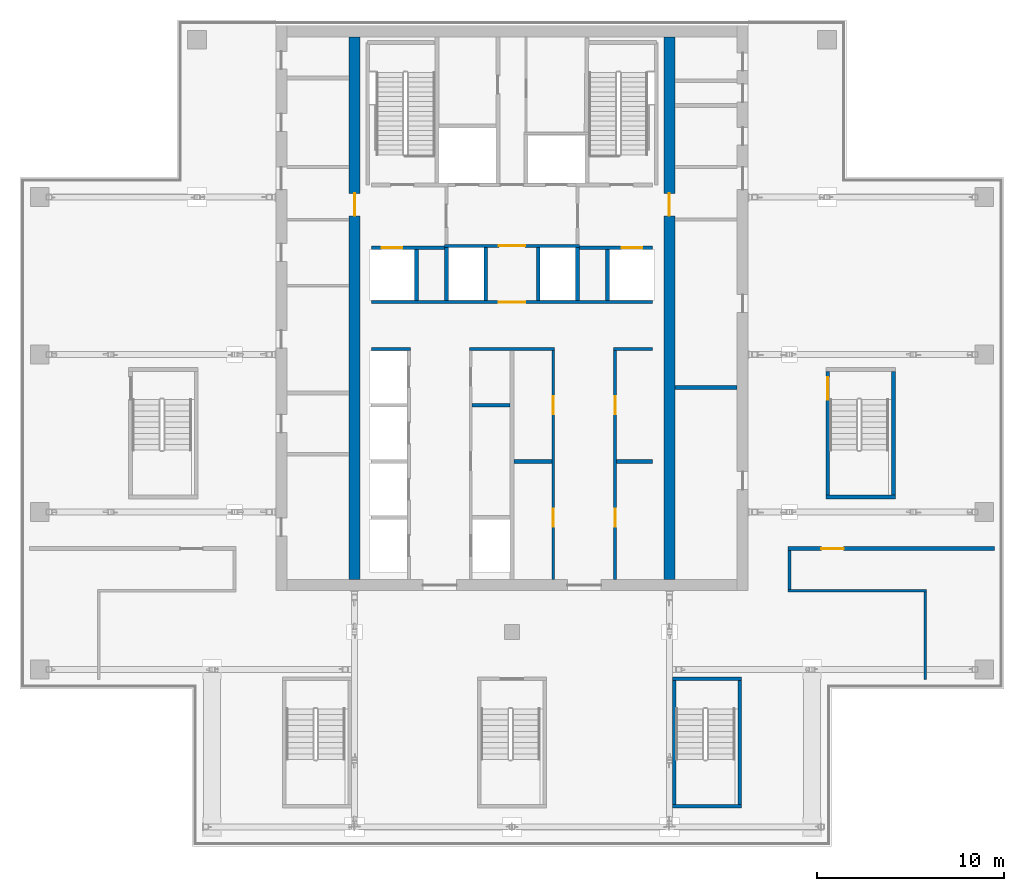
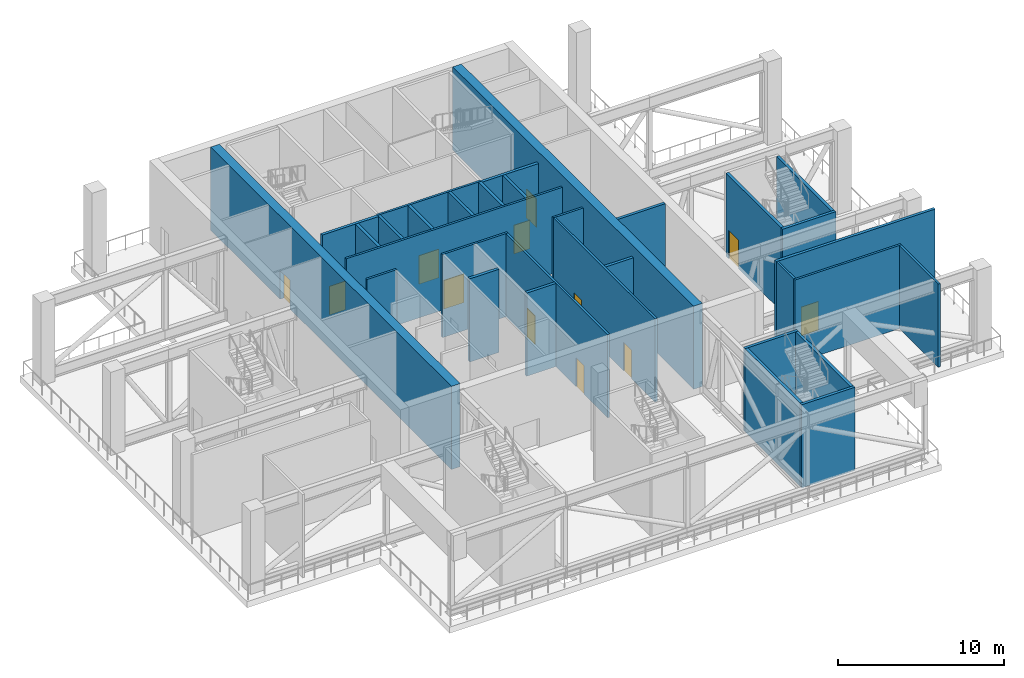
# One storey, part 18 of 24: 32 walls, 12 doors, 12 openings.
"""IFC4 building model written with IfcOpenShell, lengths in metres."""

from ifc_helpers import new_model, si_unit, direction, frame, frame_2d, origin, place, context, subcontext, project, spatial, rectangle, extrude, material, layer, layer_set, type_object, element, fill, save


model = new_model("IFC4")

# Units and contexts
model_context = context("Model", 3, precision=1e-05, world=origin(), true_north=direction((0.0, 1.0)))
body_context = subcontext(model_context, "Body", "Model", "MODEL_VIEW")
ifc_project = project(units=[si_unit("LENGTHUNIT", "METRE"), si_unit("AREAUNIT", "SQUARE_METRE"), si_unit("VOLUMEUNIT", "CUBIC_METRE"), si_unit("PLANEANGLEUNIT", "RADIAN"), si_unit("MASSUNIT", "GRAM", prefix="KILO")], contexts=[model_context])

# Site, building, storey
site_placement = place(None, origin())
site = spatial("IfcSite", under=ifc_project, at=site_placement, CompositionType="ELEMENT")
building_placement = place(site_placement, origin())
building = spatial("IfcBuilding", under=site, at=building_placement, Name="Vermilion Ogive Tower", CompositionType="ELEMENT")
storey_placement = place(building_placement, frame((0.0, 0.0, 216.949951171875)))
storey = spatial("IfcBuildingStorey", under=building, at=storey_placement, Name="L57", CompositionType="ELEMENT", Elevation=216.949951171875)

# Wall, opening, door
ifc_material_1 = material(Name="Concrete B60", Category="concrete")
ifc_layer_1 = layer(ifc_material_1, 0.60009765625)
ifc_layer_set_1 = layer_set([ifc_layer_1], Name="Core wall 600 B60")
wall_type_1 = type_object("IfcWallType", Name="Core wall 600 B60", PredefinedType="SHEAR", material=ifc_layer_set_1)
wall_1_placement = place(storey_placement, frame((-8.39990234375, -7.800048828125, 0.0), z_axis=(0.0, 0.0, 1.0), x_axis=(0.0, 1.0, 0.0)))
wall_1 = element("IfcWall", 1, at=wall_1_placement, inside=storey, type_object=wall_type_1, Name="L57-CORE-WEB1", PredefinedType="SHEAR", context=body_context, shape_type="SweptSolid", body=[
    extrude(rectangle(XDim=28.949951171875, YDim=0.60009765625, at=frame_2d((14.47509765625, 0.0))), origin(), (0.0, 0.0, 1.0), 6.10009765625),
])
opening_1_placement = place(wall_1_placement, frame((19.39990234375, 0.0, 0.0)))
opening_1 = element("IfcOpeningElement", 2, at=opening_1_placement, cuts=wall_1, Name="Opening DBX002", PredefinedType="OPENING", context=body_context, shape_type="SweptSolid", body=[
    extrude(rectangle(XDim=1.199951171875, YDim=2.10009765625, at=frame_2d((0.60009765625, 1.050048828125))), frame((0.0, 0.31005859375, 0.0), z_axis=(0.0, -1.0, 0.0), x_axis=(1.0, 0.0, 0.0)), (0.0, 0.0, 1.0), 0.6201171875),
])
ifc_material_2 = material(Name="Timber door leaf", Category="wood")
door_type_1 = type_object("IfcDoorType", Name="Link door 1200 x 2100 FD60S", OperationType="SINGLE_SWING_LEFT", PredefinedType="DOOR", material=ifc_material_2)
door_1_placement = place(opening_1_placement, origin())
door_1 = element("IfcDoor", 3, at=door_1_placement, inside=storey, type_object=door_type_1, Name="L57-CKW-XW", OperationType="SINGLE_SWING_LEFT", OverallHeight=2.10009765625, OverallWidth=1.199951171875, PredefinedType="DOOR", context=body_context, shape_type="SweptSolid", body=[
    extrude(rectangle(XDim=1.199951171875, YDim=2.10009765625, at=frame_2d((0.60009765625, 1.050048828125))), frame((0.0, 0.02490234375, 0.0), z_axis=(0.0, -1.0, 0.0), x_axis=(1.0, 0.0, 0.0)), (0.0, 0.0, 1.0), 0.050048828125),
])
fill(opening_1, door_1)

wall_2_placement = place(storey_placement, frame((8.39990234375, -7.800048828125, 0.0), z_axis=(0.0, 0.0, 1.0), x_axis=(0.0, 1.0, 0.0)))
wall_2 = element("IfcWall", 4, at=wall_2_placement, inside=storey, type_object=wall_type_1, Name="L57-CORE-WEB2", PredefinedType="SHEAR", context=body_context, shape_type="SweptSolid", body=[
    extrude(rectangle(XDim=28.949951171875, YDim=0.60009765625, at=frame_2d((14.47509765625, 0.0))), origin(), (0.0, 0.0, 1.0), 6.10009765625),
])
opening_2_placement = place(wall_2_placement, frame((19.39990234375, 0.0, 0.0)))
opening_2 = element("IfcOpeningElement", 5, at=opening_2_placement, cuts=wall_2, Name="Opening DBW002", PredefinedType="OPENING", context=body_context, shape_type="SweptSolid", body=[
    extrude(rectangle(XDim=1.199951171875, YDim=2.10009765625, at=frame_2d((0.60009765625, 1.050048828125))), frame((0.0, 0.31005859375, 0.0), z_axis=(0.0, -1.0, 0.0), x_axis=(1.0, 0.0, 0.0)), (0.0, 0.0, 1.0), 0.6201171875),
])
door_2_placement = place(opening_2_placement, origin())
door_2 = element("IfcDoor", 6, at=door_2_placement, inside=storey, type_object=door_type_1, Name="L57-CKE-XW", OperationType="SINGLE_SWING_LEFT", OverallHeight=2.10009765625, OverallWidth=1.199951171875, PredefinedType="DOOR", context=body_context, shape_type="SweptSolid", body=[
    extrude(rectangle(XDim=1.199951171875, YDim=2.10009765625, at=frame_2d((0.60009765625, 1.050048828125))), frame((0.0, 0.02490234375, 0.0), z_axis=(0.0, -1.0, 0.0), x_axis=(1.0, 0.0, 0.0)), (0.0, 0.0, 1.0), 0.050048828125),
])
fill(opening_2, door_2)

# Walls
ifc_material_3 = material(Name="Gypsum board partition on steel studs", Category="steel")
ifc_layer_2 = layer(ifc_material_3, 0.14990234375)
ifc_layer_set_2 = layer_set([ifc_layer_2], Name="Partition 150 corridor")
wall_type_2 = type_object("IfcWallType", Name="Partition 150 corridor", PredefinedType="PARTITIONING", material=ifc_layer_set_2)
wall_3_placement = place(storey_placement, frame((14.72509765625, -8.39990234375, 0.0), z_axis=(0.0, 0.0, 1.0), x_axis=(1.0, 0.0, 0.0)))
element("IfcWall", 7, at=wall_3_placement, inside=storey, type_object=wall_type_2, Name="L57-FS-W-W002", PredefinedType="PARTITIONING", context=body_context, shape_type="SweptSolid", body=[
    extrude(rectangle(XDim=7.39990234375, YDim=0.14990234375, at=frame_2d((3.699951171875, 0.0))), origin(), (0.0, 0.0, 1.0), 6.10009765625),
])
wall_4_placement = place(storey_placement, frame((14.800048828125, -8.324951171875, 0.0), z_axis=(0.0, 0.0, 1.0), x_axis=(0.0, 1.0, 0.0)))
element("IfcWall", 8, at=wall_4_placement, inside=storey, type_object=wall_type_2, Name="L57-FS-W-W007", PredefinedType="PARTITIONING", context=body_context, shape_type="SweptSolid", body=[
    extrude(rectangle(XDim=2.074951171875, YDim=0.14990234375, at=frame_2d((1.03759765625, 0.0))), origin(), (0.0, 0.0, 1.0), 6.10009765625),
])
wall_5_placement = place(storey_placement, frame((22.050048828125, -13.14990234375, 0.0), z_axis=(0.0, 0.0, 1.0), x_axis=(0.0, 1.0, 0.0)))
element("IfcWall", 9, at=wall_5_placement, inside=storey, type_object=wall_type_2, Name="L57-FS-W-W008", PredefinedType="PARTITIONING", context=body_context, shape_type="SweptSolid", body=[
    extrude(rectangle(XDim=4.6748046875, YDim=0.14990234375, at=frame_2d((2.33740234375, 0.0))), origin(), (0.0, 0.0, 1.0), 6.10009765625),
])
wall_6_placement = place(storey_placement, frame((-7.5, 4.5, 0.0), z_axis=(0.0, 0.0, 1.0), x_axis=(1.0, 0.0, 0.0)))
element("IfcWall", 10, at=wall_6_placement, inside=storey, type_object=wall_type_2, Name="L57-CK-W-W008", PredefinedType="PARTITIONING", context=body_context, shape_type="SweptSolid", body=[
    extrude(rectangle(XDim=2.074951171875, YDim=0.14990234375, at=frame_2d((1.03759765625, 0.0))), origin(), (0.0, 0.0, 1.0), 6.10009765625),
])
wall_7_placement = place(storey_placement, frame((-2.27490234375, 4.5, 0.0), z_axis=(0.0, 0.0, 1.0), x_axis=(1.0, 0.0, 0.0)))
element("IfcWall", 11, at=wall_7_placement, inside=storey, type_object=wall_type_2, Name="L57-CK-W-W009", PredefinedType="PARTITIONING", context=body_context, shape_type="SweptSolid", body=[
    extrude(rectangle(XDim=4.5498046875, YDim=0.14990234375, at=frame_2d((2.27490234375, 0.0))), origin(), (0.0, 0.0, 1.0), 6.10009765625),
])
wall_8_placement = place(storey_placement, frame((5.425048828125, 4.5, 0.0), z_axis=(0.0, 0.0, 1.0), x_axis=(1.0, 0.0, 0.0)))
element("IfcWall", 12, at=wall_8_placement, inside=storey, type_object=wall_type_2, Name="L57-CK-W-W010", PredefinedType="PARTITIONING", context=body_context, shape_type="SweptSolid", body=[
    extrude(rectangle(XDim=2.074951171875, YDim=0.14990234375, at=frame_2d((1.03759765625, 0.0))), origin(), (0.0, 0.0, 1.0), 6.10009765625),
])

# Wall, opening, door
wall_9_placement = place(storey_placement, frame((-7.5, 7.0, 0.0), z_axis=(0.0, 0.0, 1.0), x_axis=(1.0, 0.0, 0.0)))
wall_9 = element("IfcWall", 13, at=wall_9_placement, inside=storey, type_object=wall_type_2, Name="L57-CK-W-W011", PredefinedType="PARTITIONING", context=body_context, shape_type="SweptSolid", body=[
    extrude(rectangle(XDim=15.0, YDim=0.14990234375, at=frame_2d((7.5, 0.0))), origin(), (0.0, 0.0, 1.0), 6.10009765625),
])
opening_3_placement = place(wall_9_placement, frame((6.800048828125, 0.0, 0.0)))
opening_3 = element("IfcOpeningElement", 14, at=opening_3_placement, cuts=wall_9, Name="Opening DAI027", PredefinedType="OPENING", context=body_context, shape_type="SweptSolid", body=[
    extrude(rectangle(XDim=1.39990234375, YDim=2.10009765625, at=frame_2d((0.699951171875, 1.050048828125))), frame((0.0, 0.0849609375, 0.0), z_axis=(0.0, -1.0, 0.0), x_axis=(1.0, 0.0, 0.0)), (0.0, 0.0, 1.0), 0.169921875),
])
ifc_material_4 = material(Name="Timber door leaf", Category="wood")
door_type_2 = type_object("IfcDoorType", Name="Lobby door 1400 x 2100 FD60S", OperationType="SINGLE_SWING_LEFT", PredefinedType="DOOR", material=ifc_material_4)
door_3_placement = place(opening_3_placement, origin())
door_3 = element("IfcDoor", 15, at=door_3_placement, inside=storey, type_object=door_type_2, Name="L57-CK-D-D016", OperationType="SINGLE_SWING_RIGHT", OverallHeight=2.10009765625, OverallWidth=1.39990234375, PredefinedType="DOOR", context=body_context, shape_type="SweptSolid", body=[
    extrude(rectangle(XDim=1.39990234375, YDim=2.10009765625, at=frame_2d((0.699951171875, 1.050048828125))), frame((0.0, 0.02490234375, 0.0), z_axis=(0.0, -1.0, 0.0), x_axis=(1.0, 0.0, 0.0)), (0.0, 0.0, 1.0), 0.050048828125),
])
fill(opening_3, door_3)

wall_10_placement = place(storey_placement, frame((-3.60009765625, 10.0, 0.0), z_axis=(0.0, 0.0, 1.0), x_axis=(1.0, 0.0, 0.0)))
wall_10 = element("IfcWall", 16, at=wall_10_placement, inside=storey, type_object=wall_type_2, Name="L57-CK-W-W014", PredefinedType="PARTITIONING", context=body_context, shape_type="SweptSolid", body=[
    extrude(rectangle(XDim=7.2001953125, YDim=0.14990234375, at=frame_2d((3.60009765625, 0.0))), origin(), (0.0, 0.0, 1.0), 6.10009765625),
])
opening_4_placement = place(wall_10_placement, frame((2.900146484375, 0.0, 0.0)))
opening_4 = element("IfcOpeningElement", 17, at=opening_4_placement, cuts=wall_10, Name="Opening DAI028", PredefinedType="OPENING", context=body_context, shape_type="SweptSolid", body=[
    extrude(rectangle(XDim=1.39990234375, YDim=2.10009765625, at=frame_2d((0.699951171875, 1.050048828125))), frame((0.0, 0.0849609375, 0.0), z_axis=(0.0, -1.0, 0.0), x_axis=(1.0, 0.0, 0.0)), (0.0, 0.0, 1.0), 0.169921875),
])
door_4_placement = place(opening_4_placement, origin())
door_4 = element("IfcDoor", 18, at=door_4_placement, inside=storey, type_object=door_type_2, Name="L57-CK-D-D017", OperationType="SINGLE_SWING_RIGHT", OverallHeight=2.10009765625, OverallWidth=1.39990234375, PredefinedType="DOOR", context=body_context, shape_type="SweptSolid", body=[
    extrude(rectangle(XDim=1.39990234375, YDim=2.10009765625, at=frame_2d((0.699951171875, 1.050048828125))), frame((0.0, 0.02490234375, 0.0), z_axis=(0.0, -1.0, 0.0), x_axis=(1.0, 0.0, 0.0)), (0.0, 0.0, 1.0), 0.050048828125),
])
fill(opening_4, door_4)

# Wall, openings, doors
wall_11_placement = place(storey_placement, frame((2.199951171875, -7.799072265625, 0.0), z_axis=(0.0, 0.0, 1.0), x_axis=(0.0, 1.0, 0.0)))
wall_11 = element("IfcWall", 19, at=wall_11_placement, inside=storey, type_object=wall_type_2, Name="L57-CK-W-W032", PredefinedType="PARTITIONING", context=body_context, shape_type="SweptSolid", body=[
    extrude(rectangle(XDim=12.22412109375, YDim=0.14990234375, at=frame_2d((6.112060546875, 0.0))), origin(), (0.0, 0.0, 1.0), 6.10009765625),
])
opening_5_placement = place(wall_11_placement, frame((2.823974609375, 0.0, 0.0)))
opening_5 = element("IfcOpeningElement", 20, at=opening_5_placement, cuts=wall_11, Name="Opening DAI032", PredefinedType="OPENING", context=body_context, shape_type="SweptSolid", body=[
    extrude(rectangle(XDim=0.949951171875, YDim=2.10009765625, at=frame_2d((0.47509765625, 1.050048828125))), frame((0.0, 0.0849609375, 0.0), z_axis=(0.0, -1.0, 0.0), x_axis=(1.0, 0.0, 0.0)), (0.0, 0.0, 1.0), 0.169921875),
])
opening_6_placement = place(wall_11_placement, frame((8.823974609375, 0.0, 0.0)))
opening_6 = element("IfcOpeningElement", 21, at=opening_6_placement, cuts=wall_11, Name="Opening DAI033", PredefinedType="OPENING", context=body_context, shape_type="SweptSolid", body=[
    extrude(rectangle(XDim=0.949951171875, YDim=2.10009765625, at=frame_2d((0.47509765625, 1.050048828125))), frame((0.0, 0.0849609375, 0.0), z_axis=(0.0, -1.0, 0.0), x_axis=(1.0, 0.0, 0.0)), (0.0, 0.0, 1.0), 0.169921875),
])
ifc_material_5 = material(Name="Timber door leaf", Category="wood")
door_type_3 = type_object("IfcDoorType", Name="Service door 950 x 2100 FD60", OperationType="SINGLE_SWING_LEFT", PredefinedType="DOOR", material=ifc_material_5)
door_5_placement = place(opening_5_placement, origin())
door_5 = element("IfcDoor", 22, at=door_5_placement, inside=storey, type_object=door_type_3, Name="L57-CK-D-D008", OperationType="SINGLE_SWING_RIGHT", OverallHeight=2.10009765625, OverallWidth=0.949951171875, PredefinedType="DOOR", context=body_context, shape_type="SweptSolid", body=[
    extrude(rectangle(XDim=0.949951171875, YDim=2.10009765625, at=frame_2d((0.47509765625, 1.050048828125))), frame((0.0, 0.02490234375, 0.0), z_axis=(0.0, -1.0, 0.0), x_axis=(1.0, 0.0, 0.0)), (0.0, 0.0, 1.0), 0.050048828125),
])
fill(opening_5, door_5)
door_6_placement = place(opening_6_placement, origin())
door_6 = element("IfcDoor", 23, at=door_6_placement, inside=storey, type_object=door_type_3, Name="L57-CK-D-D009", OperationType="SINGLE_SWING_RIGHT", OverallHeight=2.10009765625, OverallWidth=0.949951171875, PredefinedType="DOOR", context=body_context, shape_type="SweptSolid", body=[
    extrude(rectangle(XDim=0.949951171875, YDim=2.10009765625, at=frame_2d((0.47509765625, 1.050048828125))), frame((0.0, 0.02490234375, 0.0), z_axis=(0.0, -1.0, 0.0), x_axis=(1.0, 0.0, 0.0)), (0.0, 0.0, 1.0), 0.050048828125),
])
fill(opening_6, door_6)

wall_12_placement = place(storey_placement, frame((5.5, -7.799072265625, 0.0), z_axis=(0.0, 0.0, 1.0), x_axis=(0.0, 1.0, 0.0)))
wall_12 = element("IfcWall", 24, at=wall_12_placement, inside=storey, type_object=wall_type_2, Name="L57-CK-W-W038", PredefinedType="PARTITIONING", context=body_context, shape_type="SweptSolid", body=[
    extrude(rectangle(XDim=12.22412109375, YDim=0.14990234375, at=frame_2d((6.112060546875, 0.0))), origin(), (0.0, 0.0, 1.0), 6.10009765625),
])
opening_7_placement = place(wall_12_placement, frame((2.823974609375, 0.0, 0.0)))
opening_7 = element("IfcOpeningElement", 25, at=opening_7_placement, cuts=wall_12, Name="Opening DAI034", PredefinedType="OPENING", context=body_context, shape_type="SweptSolid", body=[
    extrude(rectangle(XDim=0.949951171875, YDim=2.10009765625, at=frame_2d((0.47509765625, 1.050048828125))), frame((0.0, 0.0849609375, 0.0), z_axis=(0.0, -1.0, 0.0), x_axis=(1.0, 0.0, 0.0)), (0.0, 0.0, 1.0), 0.169921875),
])
opening_8_placement = place(wall_12_placement, frame((8.823974609375, 0.0, 0.0)))
opening_8 = element("IfcOpeningElement", 26, at=opening_8_placement, cuts=wall_12, Name="Opening DAI035", PredefinedType="OPENING", context=body_context, shape_type="SweptSolid", body=[
    extrude(rectangle(XDim=0.949951171875, YDim=2.10009765625, at=frame_2d((0.47509765625, 1.050048828125))), frame((0.0, 0.0849609375, 0.0), z_axis=(0.0, -1.0, 0.0), x_axis=(1.0, 0.0, 0.0)), (0.0, 0.0, 1.0), 0.169921875),
])
door_7_placement = place(opening_7_placement, origin())
door_7 = element("IfcDoor", 27, at=door_7_placement, inside=storey, type_object=door_type_3, Name="L57-CK-D-D010", OperationType="SINGLE_SWING_LEFT", OverallHeight=2.10009765625, OverallWidth=0.949951171875, PredefinedType="DOOR", context=body_context, shape_type="SweptSolid", body=[
    extrude(rectangle(XDim=0.949951171875, YDim=2.10009765625, at=frame_2d((0.47509765625, 1.050048828125))), frame((0.0, 0.02490234375, 0.0), z_axis=(0.0, -1.0, 0.0), x_axis=(1.0, 0.0, 0.0)), (0.0, 0.0, 1.0), 0.050048828125),
])
fill(opening_7, door_7)
door_8_placement = place(opening_8_placement, origin())
door_8 = element("IfcDoor", 28, at=door_8_placement, inside=storey, type_object=door_type_3, Name="L57-CK-D-D011", OperationType="SINGLE_SWING_LEFT", OverallHeight=2.10009765625, OverallWidth=0.949951171875, PredefinedType="DOOR", context=body_context, shape_type="SweptSolid", body=[
    extrude(rectangle(XDim=0.949951171875, YDim=2.10009765625, at=frame_2d((0.47509765625, 1.050048828125))), frame((0.0, 0.02490234375, 0.0), z_axis=(0.0, -1.0, 0.0), x_axis=(1.0, 0.0, 0.0)), (0.0, 0.0, 1.0), 0.050048828125),
])
fill(opening_8, door_8)

# Wall, opening, door
ifc_material_6 = material(Name="Gypsum board partition on steel studs", Category="steel")
ifc_layer_3 = layer(ifc_material_6, 0.199951171875)
ifc_layer_set_3 = layer_set([ifc_layer_3], Name="Partition 200 party")
wall_type_3 = type_object("IfcWallType", Name="Partition 200 party", PredefinedType="PARTITIONING", material=ifc_layer_set_3)
wall_13_placement = place(storey_placement, frame((14.72509765625, -6.14990234375, 0.0), z_axis=(0.0, 0.0, 1.0), x_axis=(1.0, 0.0, 0.0)))
wall_13 = element("IfcWall", 29, at=wall_13_placement, inside=storey, type_object=wall_type_3, Name="L57-FS-W-W004", PredefinedType="PARTITIONING", context=body_context, shape_type="SweptSolid", body=[
    extrude(rectangle(XDim=11.02490234375, YDim=0.199951171875, at=frame_2d((5.512451171875, 0.0))), origin(), (0.0, 0.0, 1.0), 6.10009765625),
])
opening_9_placement = place(wall_13_placement, frame((1.77490234375, 0.0, 0.0)))
opening_9 = element("IfcOpeningElement", 30, at=opening_9_placement, cuts=wall_13, Name="Opening L57S002", PredefinedType="OPENING", context=body_context, shape_type="SweptSolid", body=[
    extrude(rectangle(XDim=1.199951171875, YDim=2.10009765625, at=frame_2d((0.60009765625, 1.050048828125))), frame((0.0, 0.10986328125, 0.0), z_axis=(0.0, -1.0, 0.0), x_axis=(1.0, 0.0, 0.0)), (0.0, 0.0, 1.0), 0.219970703125),
])
ifc_material_7 = material(Name="Timber door leaf", Category="wood")
door_type_4 = type_object("IfcDoorType", Name="Fire door 1200 x 2100 FD30", OperationType="SINGLE_SWING_LEFT", PredefinedType="DOOR", material=ifc_material_7)
door_9_placement = place(opening_9_placement, origin())
door_9 = element("IfcDoor", 31, at=door_9_placement, inside=storey, type_object=door_type_4, Name="L57-FS-D-D002", OperationType="SINGLE_SWING_RIGHT", OverallHeight=2.10009765625, OverallWidth=1.199951171875, PredefinedType="DOOR", context=body_context, shape_type="SweptSolid", body=[
    extrude(rectangle(XDim=1.199951171875, YDim=2.10009765625, at=frame_2d((0.60009765625, 1.050048828125))), frame((0.0, 0.02490234375, 0.0), z_axis=(0.0, -1.0, 0.0), x_axis=(1.0, 0.0, 0.0)), (0.0, 0.0, 1.0), 0.050048828125),
])
fill(opening_9, door_9)

# Walls
wall_14_placement = place(storey_placement, frame((0.10009765625, -1.5, 0.0), z_axis=(0.0, 0.0, 1.0), x_axis=(1.0, 0.0, 0.0)))
element("IfcWall", 32, at=wall_14_placement, inside=storey, type_object=wall_type_3, Name="L57-CK-W-W004", PredefinedType="PARTITIONING", context=body_context, shape_type="SweptSolid", body=[
    extrude(rectangle(XDim=2.02490234375, YDim=0.199951171875, at=frame_2d((1.012451171875, 0.0))), origin(), (0.0, 0.0, 1.0), 6.10009765625),
])
wall_15_placement = place(storey_placement, frame((5.574951171875, -1.5, 0.0), z_axis=(0.0, 0.0, 1.0), x_axis=(1.0, 0.0, 0.0)))
element("IfcWall", 33, at=wall_15_placement, inside=storey, type_object=wall_type_3, Name="L57-CK-W-W005", PredefinedType="PARTITIONING", context=body_context, shape_type="SweptSolid", body=[
    extrude(rectangle(XDim=1.925048828125, YDim=0.199951171875, at=frame_2d((0.96240234375, 0.0))), origin(), (0.0, 0.0, 1.0), 6.10009765625),
])
wall_16_placement = place(storey_placement, frame((-2.125, 1.5, 0.0), z_axis=(0.0, 0.0, 1.0), x_axis=(1.0, 0.0, 0.0)))
element("IfcWall", 34, at=wall_16_placement, inside=storey, type_object=wall_type_3, Name="L57-CK-W-W007", PredefinedType="PARTITIONING", context=body_context, shape_type="SweptSolid", body=[
    extrude(rectangle(XDim=2.02490234375, YDim=0.199951171875, at=frame_2d((1.012451171875, 0.0))), origin(), (0.0, 0.0, 1.0), 6.10009765625),
])

# Wall, opening, door
wall_17_placement = place(storey_placement, frame((-7.5, 9.89990234375, 0.0), z_axis=(0.0, 0.0, 1.0), x_axis=(1.0, 0.0, 0.0)))
wall_17 = element("IfcWall", 35, at=wall_17_placement, inside=storey, type_object=wall_type_3, Name="L57-CK-W-W012", PredefinedType="PARTITIONING", context=body_context, shape_type="SweptSolid", body=[
    extrude(rectangle(XDim=3.89990234375, YDim=0.199951171875, at=frame_2d((1.949951171875, 0.0))), origin(), (0.0, 0.0, 1.0), 6.10009765625),
])
opening_10_placement = place(wall_17_placement, frame((0.550048828125, 0.0, 0.0)))
opening_10 = element("IfcOpeningElement", 36, at=opening_10_placement, cuts=wall_17, Name="Opening DAI045", PredefinedType="OPENING", context=body_context, shape_type="SweptSolid", body=[
    extrude(rectangle(XDim=1.10009765625, YDim=2.10009765625, at=frame_2d((0.550048828125, 1.050048828125))), frame((0.0, 0.10986328125, 0.0), z_axis=(0.0, -1.0, 0.0), x_axis=(1.0, 0.0, 0.0)), (0.0, 0.0, 1.0), 0.219970703125),
])
ifc_material_8 = material(Name="Stainless steel", Category="steel")
door_type_5 = type_object("IfcDoorType", Name="Lift landing door 1100 x 2100", OperationType="SLIDING_TO_LEFT", PredefinedType="DOOR", material=ifc_material_8)
door_10_placement = place(opening_10_placement, origin())
door_10 = element("IfcDoor", 37, at=door_10_placement, inside=storey, type_object=door_type_5, Name="L57-CK-D-D013", OperationType="SLIDING_TO_RIGHT", OverallHeight=2.10009765625, OverallWidth=1.10009765625, PredefinedType="DOOR", context=body_context, shape_type="SweptSolid", body=[
    extrude(rectangle(XDim=1.10009765625, YDim=2.10009765625, at=frame_2d((0.550048828125, 1.050048828125))), frame((0.0, 0.02490234375, 0.0), z_axis=(0.0, -1.0, 0.0), x_axis=(1.0, 0.0, 0.0)), (0.0, 0.0, 1.0), 0.050048828125),
])
fill(opening_10, door_10)

wall_18_placement = place(storey_placement, frame((3.60009765625, 9.89990234375, 0.0), z_axis=(0.0, 0.0, 1.0), x_axis=(1.0, 0.0, 0.0)))
wall_18 = element("IfcWall", 38, at=wall_18_placement, inside=storey, type_object=wall_type_3, Name="L57-CK-W-W013", PredefinedType="PARTITIONING", context=body_context, shape_type="SweptSolid", body=[
    extrude(rectangle(XDim=3.89990234375, YDim=0.199951171875, at=frame_2d((1.949951171875, 0.0))), origin(), (0.0, 0.0, 1.0), 6.10009765625),
])
opening_11_placement = place(wall_18_placement, frame((2.25, 0.0, 0.0)))
opening_11 = element("IfcOpeningElement", 39, at=opening_11_placement, cuts=wall_18, Name="Opening DAI046", PredefinedType="OPENING", context=body_context, shape_type="SweptSolid", body=[
    extrude(rectangle(XDim=1.10009765625, YDim=2.10009765625, at=frame_2d((0.550048828125, 1.050048828125))), frame((0.0, 0.10986328125, 0.0), z_axis=(0.0, -1.0, 0.0), x_axis=(1.0, 0.0, 0.0)), (0.0, 0.0, 1.0), 0.219970703125),
])
door_11_placement = place(opening_11_placement, origin())
door_11 = element("IfcDoor", 40, at=door_11_placement, inside=storey, type_object=door_type_5, Name="L57-CK-D-D015", OperationType="SLIDING_TO_LEFT", OverallHeight=2.10009765625, OverallWidth=1.10009765625, PredefinedType="DOOR", context=body_context, shape_type="SweptSolid", body=[
    extrude(rectangle(XDim=1.10009765625, YDim=2.10009765625, at=frame_2d((0.550048828125, 1.050048828125))), frame((0.0, 0.02490234375, 0.0), z_axis=(0.0, -1.0, 0.0), x_axis=(1.0, 0.0, 0.0)), (0.0, 0.0, 1.0), 0.050048828125),
])
fill(opening_11, door_11)

# Walls
wall_19_placement = place(storey_placement, frame((-5.10009765625, 7.074951171875, 0.0), z_axis=(0.0, 0.0, 1.0), x_axis=(0.0, 1.0, 0.0)))
element("IfcWall", 41, at=wall_19_placement, inside=storey, type_object=wall_type_3, Name="L57-CK-W-W021", PredefinedType="PARTITIONING", context=body_context, shape_type="SweptSolid", body=[
    extrude(rectangle(XDim=2.72509765625, YDim=0.199951171875, at=frame_2d((1.362548828125, 0.0))), origin(), (0.0, 0.0, 1.0), 6.10009765625),
])
for number, where, z_axis, x_axis, name in (
    (42, (-3.5, 7.074951171875, 0.0), (0.0, 0.0, 1.0), (0.0, 1.0, 0.0), "L57-CK-W-W023"),
    (43, (-1.39990234375, 7.074951171875, 0.0), (0.0, 0.0, 1.0), (0.0, 1.0, 0.0), "L57-CK-W-W026"),
    (44, (1.39990234375, 7.074951171875, 0.0), (0.0, 0.0, 1.0), (0.0, 1.0, 0.0), "L57-CK-W-W031"),
    (45, (3.5, 7.074951171875, 0.0), (0.0, 0.0, 1.0), (0.0, 1.0, 0.0), "L57-CK-W-W033"),
):
    element("IfcWall", number, at=place(storey_placement, frame(where, z_axis=z_axis, x_axis=x_axis)), inside=storey, type_object=wall_type_3, Name=name, PredefinedType="PARTITIONING", context=body_context, shape_type="SweptSolid", body=[
        extrude(rectangle(XDim=2.85009765625, YDim=0.199951171875, at=frame_2d((1.425048828125, 0.0))), origin(), (0.0, 0.0, 1.0), 6.10009765625),
    ])
wall_20_placement = place(storey_placement, frame((5.10009765625, 7.074951171875, 0.0), z_axis=(0.0, 0.0, 1.0), x_axis=(0.0, 1.0, 0.0)))
element("IfcWall", 46, at=wall_20_placement, inside=storey, type_object=wall_type_3, Name="L57-CK-W-W037", PredefinedType="PARTITIONING", context=body_context, shape_type="SweptSolid", body=[
    extrude(rectangle(XDim=2.72509765625, YDim=0.199951171875, at=frame_2d((1.362548828125, 0.0))), origin(), (0.0, 0.0, 1.0), 6.10009765625),
])
wall_21_placement = place(storey_placement, frame((8.700927734375, 2.447021484375, 0.0), z_axis=(0.0, 0.0, 1.0), x_axis=(1.0, 0.0, 0.0)))
element("IfcWall", 47, at=wall_21_placement, inside=storey, type_object=wall_type_3, Name="L57-CKE-W-W001", PredefinedType="PARTITIONING", context=body_context, shape_type="SweptSolid", body=[
    extrude(rectangle(XDim=3.298095703125, YDim=0.199951171875, at=frame_2d((1.64892578125, 0.0))), origin(), (0.0, 0.0, 1.0), 6.10009765625),
])
ifc_material_9 = material(Name="Concrete B60", Category="concrete")
ifc_layer_4 = layer(ifc_material_9, 0.199951171875)
ifc_layer_set_4 = layer_set([ifc_layer_4], Name="Stair shaft wall 200 Concrete B60")
wall_type_4 = type_object("IfcWallType", Name="Stair shaft wall 200 Concrete B60", PredefinedType="SOLIDWALL", material=ifc_layer_set_4)
for number, where, z_axis, x_axis, name in (
    (48, (8.550048828125, -19.89990234375, 0.0), (0.0, 0.0, 1.0), (1.0, 0.0, 0.0), "L57-SW-ST5-S1"),
    (49, (8.550048828125, -13.10009765625, 0.0), (0.0, 0.0, 1.0), (1.0, 0.0, 0.0), "L57-SW-ST5-N1"),
):
    element("IfcWall", number, at=place(storey_placement, frame(where, z_axis=z_axis, x_axis=x_axis)), inside=storey, type_object=wall_type_4, Name=name, PredefinedType="SOLIDWALL", context=body_context, shape_type="SweptSolid", body=[
        extrude(rectangle(XDim=3.699951171875, YDim=0.199951171875, at=frame_2d((1.85009765625, 0.0))), origin(), (0.0, 0.0, 1.0), 6.10009765625),
    ])
for number, where, z_axis, x_axis, name in (
    (50, (8.64990234375, -19.800048828125, 0.0), (0.0, 0.0, 1.0), (0.0, 1.0, 0.0), "L57-SW-ST5-W1"),
    (51, (12.14990234375, -19.800048828125, 0.0), (0.0, 0.0, 1.0), (0.0, 1.0, 0.0), "L57-SW-ST5-E1"),
):
    element("IfcWall", number, at=place(storey_placement, frame(where, z_axis=z_axis, x_axis=x_axis)), inside=storey, type_object=wall_type_4, Name=name, PredefinedType="SOLIDWALL", context=body_context, shape_type="SweptSolid", body=[
        extrude(rectangle(XDim=6.60009765625, YDim=0.199951171875, at=frame_2d((3.300048828125, 0.0))), origin(), (0.0, 0.0, 1.0), 6.10009765625),
    ])
wall_22_placement = place(storey_placement, frame((16.75, -3.39990234375, 0.0), z_axis=(0.0, 0.0, 1.0), x_axis=(1.0, 0.0, 0.0)))
element("IfcWall", 52, at=wall_22_placement, inside=storey, type_object=wall_type_4, Name="L57-SW-ST8-S1", PredefinedType="SOLIDWALL", context=body_context, shape_type="SweptSolid", body=[
    extrude(rectangle(XDim=3.699951171875, YDim=0.199951171875, at=frame_2d((1.85009765625, 0.0))), origin(), (0.0, 0.0, 1.0), 6.10009765625),
])

# Wall, opening, door
wall_23_placement = place(storey_placement, frame((16.85009765625, -3.300048828125, 0.0), z_axis=(0.0, 0.0, 1.0), x_axis=(0.0, 1.0, 0.0)))
wall_23 = element("IfcWall", 53, at=wall_23_placement, inside=storey, type_object=wall_type_4, Name="L57-SW-ST8-W1", PredefinedType="SOLIDWALL", context=body_context, shape_type="SweptSolid", body=[
    extrude(rectangle(XDim=6.60009765625, YDim=0.199951171875, at=frame_2d((3.300048828125, 0.0))), origin(), (0.0, 0.0, 1.0), 6.10009765625),
])
opening_12_placement = place(wall_23_placement, frame((5.10009765625, 0.0, 0.0)))
opening_12 = element("IfcOpeningElement", 54, at=opening_12_placement, cuts=wall_23, Name="Opening DBK003", PredefinedType="OPENING", context=body_context, shape_type="SweptSolid", body=[
    extrude(rectangle(XDim=1.199951171875, YDim=2.10009765625, at=frame_2d((0.60009765625, 1.050048828125))), frame((0.0, 0.10986328125, 0.0), z_axis=(0.0, -1.0, 0.0), x_axis=(1.0, 0.0, 0.0)), (0.0, 0.0, 1.0), 0.219970703125),
])
ifc_material_10 = material(Name="Timber door leaf", Category="wood")
door_type_6 = type_object("IfcDoorType", Name="Stair door 1200 x 2100 FD60S", OperationType="SINGLE_SWING_LEFT", PredefinedType="DOOR", material=ifc_material_10)
door_12_placement = place(opening_12_placement, origin())
door_12 = element("IfcDoor", 55, at=door_12_placement, inside=storey, type_object=door_type_6, Name="Stair door ST8", OperationType="SINGLE_SWING_LEFT", OverallHeight=2.10009765625, OverallWidth=1.199951171875, PredefinedType="DOOR", context=body_context, shape_type="SweptSolid", body=[
    extrude(rectangle(XDim=1.199951171875, YDim=2.10009765625, at=frame_2d((0.60009765625, 1.050048828125))), frame((0.0, 0.02490234375, 0.0), z_axis=(0.0, -1.0, 0.0), x_axis=(1.0, 0.0, 0.0)), (0.0, 0.0, 1.0), 0.050048828125),
])
fill(opening_12, door_12)

# Wall
wall_24_placement = place(storey_placement, frame((20.35009765625, -3.300048828125, 0.0), z_axis=(0.0, 0.0, 1.0), x_axis=(0.0, 1.0, 0.0)))
element("IfcWall", 56, at=wall_24_placement, inside=storey, type_object=wall_type_4, Name="L57-SW-ST8-E1", PredefinedType="SOLIDWALL", context=body_context, shape_type="SweptSolid", body=[
    extrude(rectangle(XDim=6.60009765625, YDim=0.199951171875, at=frame_2d((3.300048828125, 0.0))), origin(), (0.0, 0.0, 1.0), 6.10009765625),
])

save(model, "model.ifc")
